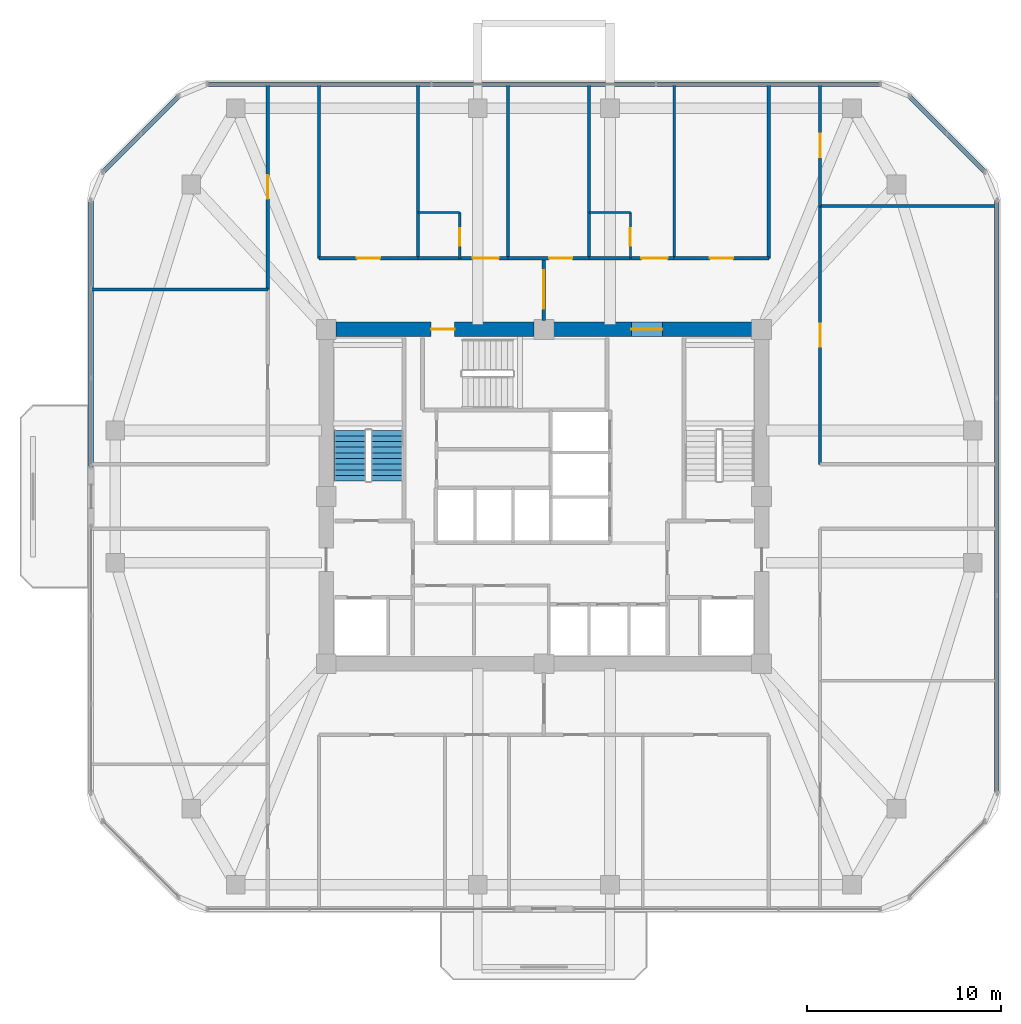
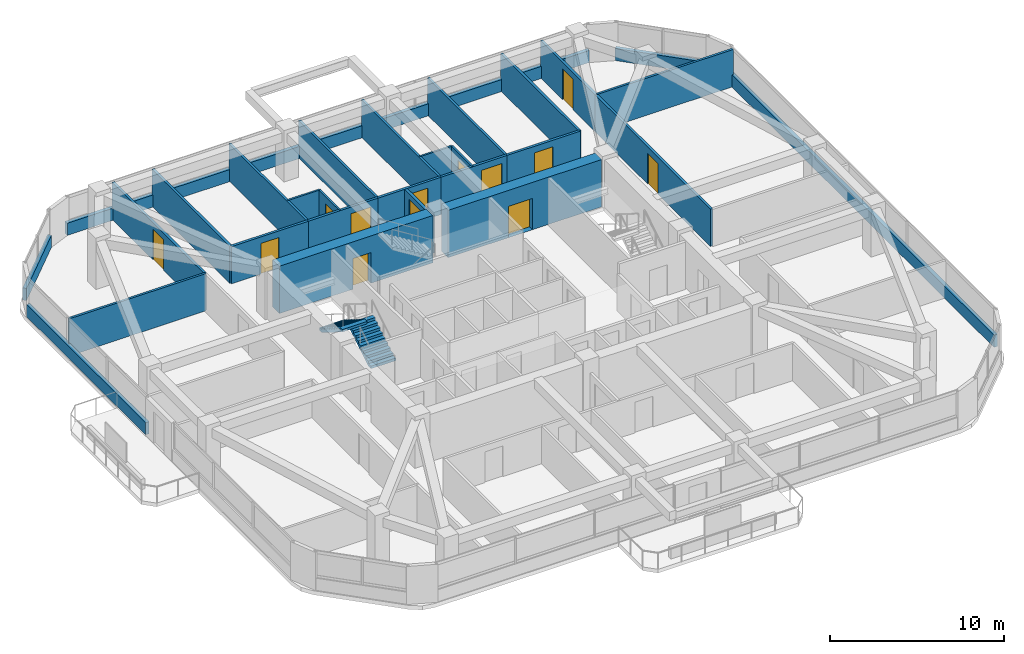
# One storey, part 9 of 12: 28 walls, 13 doors, 2 stair flights, 13 openings, 1 element without a shape of its own.
"""IFC4 building model written with IfcOpenShell, lengths in metres."""

from ifc_helpers import new_model, si_unit, derived_unit, direction, frame, frame_2d, origin, place, context, subcontext, project, spatial, polyline, rectangle, outline, extrude, material, layer, layer_set, type_object, element, fill, aggregate, save


model = new_model("IFC4")

# Units and contexts
model_context = context("Model", 3, precision=1e-05, world=origin(), true_north=direction((0.0, 1.0)))
body_context = subcontext(model_context, "Body", "Model", "MODEL_VIEW")
ifc_project = project(units=[si_unit("LENGTHUNIT", "METRE"), si_unit("AREAUNIT", "SQUARE_METRE"), si_unit("VOLUMEUNIT", "CUBIC_METRE"), si_unit("PLANEANGLEUNIT", "RADIAN"), si_unit("MASSUNIT", "GRAM", prefix="KILO"), derived_unit("THERMALTRANSMITTANCEUNIT", [(si_unit("POWERUNIT", "WATT"), 1), (si_unit("LENGTHUNIT", "METRE"), -2), (si_unit("THERMODYNAMICTEMPERATUREUNIT", "KELVIN"), -1)])], contexts=[model_context])

# Site, building, storey
site_placement = place(None, origin())
site = spatial("IfcSite", under=ifc_project, at=site_placement, CompositionType="ELEMENT")
building_placement = place(site_placement, origin())
building = spatial("IfcBuilding", under=site, at=building_placement, Name="Koralith Skygarden Medical Center", CompositionType="ELEMENT")
storey_placement = place(building_placement, frame((0.0, 0.0, 134.820068359375)))
storey = spatial("IfcBuildingStorey", under=building, at=storey_placement, Name="L34", CompositionType="ELEMENT", Elevation=134.820068359375)

# Walls
ifc_material_1 = material(Name="Gypsum Board Partition")
ifc_layer_1 = layer(ifc_material_1, 0.14990234375)
ifc_layer_set_1 = layer_set([ifc_layer_1], Name="Gypsum Board Partition")
wall_type_1 = type_object("IfcWallType", Name="Clinical Acoustic Partition 150", PredefinedType="PARTITIONING", material=ifc_layer_set_1)
for number, where, z_axis, x_axis, name in (
    (1, (30.52587890625, 38.159912109375, 0.0), (0.0, 0.0, 1.0), (0.0, 1.0, 0.0), "L34 Clinical Acoustic Partition 150 W-PART-L34-N-01"),
    (2, (35.14990234375, 38.159912109375, 0.0), (0.0, 0.0, 1.0), (0.0, 1.0, 0.0), "L34 Clinical Acoustic Partition 150 W-PART-L34-N-02"),
    (3, (39.31201171875, 38.159912109375, 0.0), (0.0, 0.0, 1.0), (0.0, 1.0, 0.0), "L34 Clinical Acoustic Partition 150 W-PART-L34-N-03"),
    (4, (43.705078125, 38.159912109375, 0.0), (0.0, 0.0, 1.0), (0.0, 1.0, 0.0), "L34 Clinical Acoustic Partition 150 W-PART-L34-N-04"),
):
    element("IfcWall", number, at=place(storey_placement, frame(where, z_axis=z_axis, x_axis=x_axis)), inside=storey, type_object=wall_type_1, Name=name, PredefinedType="PARTITIONING", context=body_context, shape_type="SweptSolid", body=[
        extrude(rectangle(XDim=8.940185546875, YDim=0.14990234375, at=frame_2d((4.47021484375, 0.0))), origin(), (0.0, 0.0, 1.0), 2.60986328125),
    ])
for number, where, z_axis, x_axis, name in (
    (5, (22.7900390625, 36.548095703125, 0.0), (0.0, 0.0, 1.0), (-1.0, 0.0, 0.0), "L34 Clinical Acoustic Partition 150 W-PART-L34-WN-01"),
    (6, (51.2099609375, 40.846923828125, 0.0), (0.0, 0.0, 1.0), (1.0, 0.0, 0.0), "L34 Clinical Acoustic Partition 150 W-PART-L34-EN-01"),
):
    element("IfcWall", number, at=place(storey_placement, frame(where, z_axis=z_axis, x_axis=x_axis)), inside=storey, type_object=wall_type_1, Name=name, PredefinedType="PARTITIONING", context=body_context, shape_type="SweptSolid", body=[
        extrude(rectangle(XDim=9.073974609375, YDim=0.14990234375, at=frame_2d((4.537109375, 0.0))), origin(), (0.0, 0.0, 1.0), 2.60986328125),
    ])
ifc_layer_2 = layer(ifc_material_1, 0.1650390625)
ifc_layer_set_2 = layer_set([ifc_layer_2], Name="Gypsum Board Partition")
wall_type_2 = type_object("IfcWallType", Name="Clinical Corridor Partition 165", PredefinedType="PARTITIONING", material=ifc_layer_set_2)
for number, where, z_axis, x_axis, name in (
    (7, (25.429931640625, 38.159912109375, 0.0), (0.0, 0.0, 1.0), (0.0, 1.0, 0.0), "L34 Clinical Corridor Partition 165 W-HCOR-L34-NW"),
    (8, (48.570068359375, 38.159912109375, 0.0), (0.0, 0.0, 1.0), (0.0, 1.0, 0.0), "L34 Clinical Corridor Partition 165 W-HCOR-L34-NE"),
):
    element("IfcWall", number, at=place(storey_placement, frame(where, z_axis=z_axis, x_axis=x_axis)), inside=storey, type_object=wall_type_2, Name=name, PredefinedType="PARTITIONING", context=body_context, shape_type="SweptSolid", body=[
        extrude(rectangle(XDim=8.940185546875, YDim=0.1650390625, at=frame_2d((4.47021484375, 0.0))), origin(), (0.0, 0.0, 1.0), 2.60986328125),
    ])

# Wall, opening, door
wall_1_placement = place(storey_placement, frame((25.429931640625, 38.159912109375, 0.0), z_axis=(0.0, 0.0, 1.0), x_axis=(1.0, 0.0, 0.0)))
wall_1 = element("IfcWall", 9, at=wall_1_placement, inside=storey, type_object=wall_type_2, Name="L34 Clinical Corridor Partition 165 W-CORR-L34-N-01", PredefinedType="PARTITIONING", context=body_context, shape_type="SweptSolid", body=[
    extrude(rectangle(XDim=5.095947265625, YDim=0.1650390625, at=frame_2d((2.5478515625, 0.0))), origin(), (0.0, 0.0, 1.0), 2.60986328125),
])
opening_1_placement = place(wall_1_placement, frame((1.947998046875, 0.0, 0.0)))
opening_1 = element("IfcOpeningElement", 10, at=opening_1_placement, cuts=wall_1, Name="Opening D-CLN", PredefinedType="OPENING", context=body_context, shape_type="SweptSolid", body=[
    extrude(rectangle(XDim=1.199951171875, YDim=2.14990234375, at=frame_2d((0.60009765625, 1.074951171875))), frame((0.0, 0.092529296875, 0.0), z_axis=(0.0, -1.0, 0.0), x_axis=(1.0, 0.0, 0.0)), (0.0, 0.0, 1.0), 0.18505859375),
])
ifc_material_2 = material(Name="Aluminium 6063-T6", Category="aluminium")
door_type_1 = type_object("IfcDoorType", Name="Clinical Corridor Door D-CLN 1200", OperationType="NOTDEFINED", PredefinedType="DOOR", material=ifc_material_2)
door_1_placement = place(opening_1_placement, origin())
door_1 = element("IfcDoor", 11, at=door_1_placement, inside=storey, type_object=door_type_1, Name="L34 Procedure and Minor Treatment Room 01 Door", OperationType="SINGLE_SWING_RIGHT", OverallHeight=2.14990234375, OverallWidth=1.199951171875, PredefinedType="DOOR", context=body_context, shape_type="SweptSolid", body=[
    extrude(rectangle(XDim=1.199951171875, YDim=2.14990234375, at=frame_2d((0.60009765625, 1.074951171875))), frame((0.0, 0.02490234375, 0.0), z_axis=(0.0, -1.0, 0.0), x_axis=(1.0, 0.0, 0.0)), (0.0, 0.0, 1.0), 0.050048828125),
])
fill(opening_1, door_1)

wall_2_placement = place(storey_placement, frame((30.52587890625, 38.159912109375, 0.0), z_axis=(0.0, 0.0, 1.0), x_axis=(1.0, 0.0, 0.0)))
wall_2 = element("IfcWall", 12, at=wall_2_placement, inside=storey, type_object=wall_type_2, Name="L34 Clinical Corridor Partition 165 W-CORR-L34-N-02", PredefinedType="PARTITIONING", context=body_context, shape_type="SweptSolid", body=[
    extrude(rectangle(XDim=4.6240234375, YDim=0.1650390625, at=frame_2d((2.31201171875, 0.0))), origin(), (0.0, 0.0, 1.0), 2.60986328125),
])
opening_2_placement = place(wall_2_placement, frame((2.81005859375, 0.0, 0.0)))
opening_2 = element("IfcOpeningElement", 13, at=opening_2_placement, cuts=wall_2, Name="Opening D-BED", PredefinedType="OPENING", context=body_context, shape_type="SweptSolid", body=[
    extrude(rectangle(XDim=1.35009765625, YDim=2.14990234375, at=frame_2d((0.675048828125, 1.074951171875))), frame((0.0, 0.092529296875, 0.0), z_axis=(0.0, -1.0, 0.0), x_axis=(1.0, 0.0, 0.0)), (0.0, 0.0, 1.0), 0.18505859375),
])
door_type_2 = type_object("IfcDoorType", Name="Inpatient Bed Leaf Door D-BED 1350", OperationType="NOTDEFINED", PredefinedType="DOOR", material=ifc_material_2)
door_2_placement = place(opening_2_placement, origin())
door_2 = element("IfcDoor", 14, at=door_2_placement, inside=storey, type_object=door_type_2, Name="L34 Inpatient Bedroom 02 Door", OperationType="SINGLE_SWING_LEFT", OverallHeight=2.14990234375, OverallWidth=1.35009765625, PredefinedType="DOOR", context=body_context, shape_type="SweptSolid", body=[
    extrude(rectangle(XDim=1.35009765625, YDim=2.14990234375, at=frame_2d((0.675048828125, 1.074951171875))), frame((0.0, 0.02490234375, 0.0), z_axis=(0.0, -1.0, 0.0), x_axis=(1.0, 0.0, 0.0)), (0.0, 0.0, 1.0), 0.050048828125),
])
fill(opening_2, door_2)

wall_3_placement = place(storey_placement, frame((35.14990234375, 38.159912109375, 0.0), z_axis=(0.0, 0.0, 1.0), x_axis=(1.0, 0.0, 0.0)))
wall_3 = element("IfcWall", 15, at=wall_3_placement, inside=storey, type_object=wall_type_2, Name="L34 Clinical Corridor Partition 165 W-CORR-L34-N-03", PredefinedType="PARTITIONING", context=body_context, shape_type="SweptSolid", body=[
    extrude(rectangle(XDim=4.162109375, YDim=0.1650390625, at=frame_2d((2.0810546875, 0.0))), origin(), (0.0, 0.0, 1.0), 2.60986328125),
])
opening_3_placement = place(wall_3_placement, frame((2.114990234375, 0.0, 0.0)))
opening_3 = element("IfcOpeningElement", 16, at=opening_3_placement, cuts=wall_3, Name="Opening D-CLN", PredefinedType="OPENING", context=body_context, shape_type="SweptSolid", body=[
    extrude(rectangle(XDim=1.199951171875, YDim=2.14990234375, at=frame_2d((0.60009765625, 1.074951171875))), frame((0.0, 0.092529296875, 0.0), z_axis=(0.0, -1.0, 0.0), x_axis=(1.0, 0.0, 0.0)), (0.0, 0.0, 1.0), 0.18505859375),
])
door_3_placement = place(opening_3_placement, origin())
door_3 = element("IfcDoor", 17, at=door_3_placement, inside=storey, type_object=door_type_1, Name="L34 Wound Care Treatment Room 03 Door", OperationType="SINGLE_SWING_RIGHT", OverallHeight=2.14990234375, OverallWidth=1.199951171875, PredefinedType="DOOR", context=body_context, shape_type="SweptSolid", body=[
    extrude(rectangle(XDim=1.199951171875, YDim=2.14990234375, at=frame_2d((0.60009765625, 1.074951171875))), frame((0.0, 0.02490234375, 0.0), z_axis=(0.0, -1.0, 0.0), x_axis=(1.0, 0.0, 0.0)), (0.0, 0.0, 1.0), 0.050048828125),
])
fill(opening_3, door_3)

wall_4_placement = place(storey_placement, frame((39.31201171875, 38.159912109375, 0.0), z_axis=(0.0, 0.0, 1.0), x_axis=(1.0, 0.0, 0.0)))
wall_4 = element("IfcWall", 18, at=wall_4_placement, inside=storey, type_object=wall_type_2, Name="L34 Clinical Corridor Partition 165 W-CORR-L34-N-04", PredefinedType="PARTITIONING", context=body_context, shape_type="SweptSolid", body=[
    extrude(rectangle(XDim=4.39306640625, YDim=0.1650390625, at=frame_2d((2.196533203125, 0.0))), origin(), (0.0, 0.0, 1.0), 2.60986328125),
])
opening_4_placement = place(wall_4_placement, frame((2.702880859375, 0.0, 0.0)))
opening_4 = element("IfcOpeningElement", 19, at=opening_4_placement, cuts=wall_4, Name="Opening D-BED", PredefinedType="OPENING", context=body_context, shape_type="SweptSolid", body=[
    extrude(rectangle(XDim=1.35009765625, YDim=2.14990234375, at=frame_2d((0.675048828125, 1.074951171875))), frame((0.0, 0.092529296875, 0.0), z_axis=(0.0, -1.0, 0.0), x_axis=(1.0, 0.0, 0.0)), (0.0, 0.0, 1.0), 0.18505859375),
])
door_4_placement = place(opening_4_placement, origin())
door_4 = element("IfcDoor", 20, at=door_4_placement, inside=storey, type_object=door_type_2, Name="L34 Inpatient Bedroom 04 Door", OperationType="SINGLE_SWING_LEFT", OverallHeight=2.14990234375, OverallWidth=1.35009765625, PredefinedType="DOOR", context=body_context, shape_type="SweptSolid", body=[
    extrude(rectangle(XDim=1.35009765625, YDim=2.14990234375, at=frame_2d((0.675048828125, 1.074951171875))), frame((0.0, 0.02490234375, 0.0), z_axis=(0.0, -1.0, 0.0), x_axis=(1.0, 0.0, 0.0)), (0.0, 0.0, 1.0), 0.050048828125),
])
fill(opening_4, door_4)

wall_5_placement = place(storey_placement, frame((43.705078125, 38.159912109375, 0.0), z_axis=(0.0, 0.0, 1.0), x_axis=(1.0, 0.0, 0.0)))
wall_5 = element("IfcWall", 21, at=wall_5_placement, inside=storey, type_object=wall_type_2, Name="L34 Clinical Corridor Partition 165 W-CORR-L34-N-05", PredefinedType="PARTITIONING", context=body_context, shape_type="SweptSolid", body=[
    extrude(rectangle(XDim=4.864990234375, YDim=0.1650390625, at=frame_2d((2.4326171875, 0.0))), origin(), (0.0, 0.0, 1.0), 2.60986328125),
])
opening_5_placement = place(wall_5_placement, frame((1.8330078125, 0.0, 0.0)))
opening_5 = element("IfcOpeningElement", 22, at=opening_5_placement, cuts=wall_5, Name="Opening D-CLN", PredefinedType="OPENING", context=body_context, shape_type="SweptSolid", body=[
    extrude(rectangle(XDim=1.199951171875, YDim=2.14990234375, at=frame_2d((0.60009765625, 1.074951171875))), frame((0.0, 0.092529296875, 0.0), z_axis=(0.0, -1.0, 0.0), x_axis=(1.0, 0.0, 0.0)), (0.0, 0.0, 1.0), 0.18505859375),
])
door_5_placement = place(opening_5_placement, origin())
door_5 = element("IfcDoor", 23, at=door_5_placement, inside=storey, type_object=door_type_1, Name="L34 Acute Nurse Station 05 Door", OperationType="SINGLE_SWING_RIGHT", OverallHeight=2.14990234375, OverallWidth=1.199951171875, PredefinedType="DOOR", context=body_context, shape_type="SweptSolid", body=[
    extrude(rectangle(XDim=1.199951171875, YDim=2.14990234375, at=frame_2d((0.60009765625, 1.074951171875))), frame((0.0, 0.02490234375, 0.0), z_axis=(0.0, -1.0, 0.0), x_axis=(1.0, 0.0, 0.0)), (0.0, 0.0, 1.0), 0.050048828125),
])
fill(opening_5, door_5)

wall_6_placement = place(storey_placement, frame((22.7900390625, 36.548095703125, 0.0), z_axis=(0.0, 0.0, 1.0), x_axis=(0.0, 1.0, 0.0)))
wall_6 = element("IfcWall", 24, at=wall_6_placement, inside=storey, type_object=wall_type_2, Name="L34 Clinical Corridor Partition 165 W-CORR-L34-WN-02", PredefinedType="PARTITIONING", context=body_context, shape_type="SweptSolid", body=[
    extrude(rectangle(XDim=10.552001953125, YDim=0.1650390625, at=frame_2d((5.27587890625, 0.0))), origin(), (0.0, 0.0, 1.0), 2.60986328125),
])
opening_6_placement = place(wall_6_placement, frame((4.676025390625, 0.0, 0.0)))
opening_6 = element("IfcOpeningElement", 25, at=opening_6_placement, cuts=wall_6, Name="Opening D-CLN", PredefinedType="OPENING", context=body_context, shape_type="SweptSolid", body=[
    extrude(rectangle(XDim=1.199951171875, YDim=2.14990234375, at=frame_2d((0.60009765625, 1.074951171875))), frame((0.0, 0.092529296875, 0.0), z_axis=(0.0, -1.0, 0.0), x_axis=(1.0, 0.0, 0.0)), (0.0, 0.0, 1.0), 0.18505859375),
])
door_6_placement = place(opening_6_placement, frame((1.199951171875, 0.0, 0.0), z_axis=(0.0, 0.0, 1.0), x_axis=(-1.0, 0.0, 0.0)))
door_6 = element("IfcDoor", 26, at=door_6_placement, inside=storey, type_object=door_type_1, Name="L34 Wound Care Treatment Room 13 Door", OperationType="SINGLE_SWING_RIGHT", OverallHeight=2.14990234375, OverallWidth=1.199951171875, PredefinedType="DOOR", context=body_context, shape_type="SweptSolid", body=[
    extrude(rectangle(XDim=1.199951171875, YDim=2.14990234375, at=frame_2d((0.60009765625, 1.074951171875))), frame((0.0, 0.02490234375, 0.0), z_axis=(0.0, -1.0, 0.0), x_axis=(1.0, 0.0, 0.0)), (0.0, 0.0, 1.0), 0.050048828125),
])
fill(opening_6, door_6)

wall_7_placement = place(storey_placement, frame((51.2099609375, 27.56005859375, 0.0), z_axis=(0.0, 0.0, 1.0), x_axis=(0.0, 1.0, 0.0)))
wall_7 = element("IfcWall", 27, at=wall_7_placement, inside=storey, type_object=wall_type_2, Name="L34 Clinical Corridor Partition 165 W-CORR-L34-EN-01", PredefinedType="PARTITIONING", context=body_context, shape_type="SweptSolid", body=[
    extrude(rectangle(XDim=13.286865234375, YDim=0.1650390625, at=frame_2d((6.6435546875, 0.0))), origin(), (0.0, 0.0, 1.0), 2.60986328125),
])
opening_7_placement = place(wall_7_placement, frame((6.0439453125, 0.0, 0.0)))
opening_7 = element("IfcOpeningElement", 28, at=opening_7_placement, cuts=wall_7, Name="Opening D-CLN", PredefinedType="OPENING", context=body_context, shape_type="SweptSolid", body=[
    extrude(rectangle(XDim=1.199951171875, YDim=2.14990234375, at=frame_2d((0.60009765625, 1.074951171875))), frame((0.0, 0.092529296875, 0.0), z_axis=(0.0, -1.0, 0.0), x_axis=(1.0, 0.0, 0.0)), (0.0, 0.0, 1.0), 0.18505859375),
])
door_7_placement = place(opening_7_placement, origin())
door_7 = element("IfcDoor", 29, at=door_7_placement, inside=storey, type_object=door_type_1, Name="L34 Procedure and Minor Treatment Room 16 Door", OperationType="SINGLE_SWING_LEFT", OverallHeight=2.14990234375, OverallWidth=1.199951171875, PredefinedType="DOOR", context=body_context, shape_type="SweptSolid", body=[
    extrude(rectangle(XDim=1.199951171875, YDim=2.14990234375, at=frame_2d((0.60009765625, 1.074951171875))), frame((0.0, 0.02490234375, 0.0), z_axis=(0.0, -1.0, 0.0), x_axis=(1.0, 0.0, 0.0)), (0.0, 0.0, 1.0), 0.050048828125),
])
fill(opening_7, door_7)

wall_8_placement = place(storey_placement, frame((51.2099609375, 40.846923828125, 0.0), z_axis=(0.0, 0.0, 1.0), x_axis=(0.0, 1.0, 0.0)))
wall_8 = element("IfcWall", 30, at=wall_8_placement, inside=storey, type_object=wall_type_2, Name="L34 Clinical Corridor Partition 165 W-CORR-L34-EN-02", PredefinedType="PARTITIONING", context=body_context, shape_type="SweptSolid", body=[
    extrude(rectangle(XDim=6.253173828125, YDim=0.1650390625, at=frame_2d((3.12646484375, 0.0))), origin(), (0.0, 0.0, 1.0), 2.60986328125),
])
opening_8_placement = place(wall_8_placement, frame((2.52587890625, 0.0, 0.0)))
opening_8 = element("IfcOpeningElement", 31, at=opening_8_placement, cuts=wall_8, Name="Opening D-CLN", PredefinedType="OPENING", context=body_context, shape_type="SweptSolid", body=[
    extrude(rectangle(XDim=1.199951171875, YDim=2.14990234375, at=frame_2d((0.60009765625, 1.074951171875))), frame((0.0, 0.092529296875, 0.0), z_axis=(0.0, -1.0, 0.0), x_axis=(1.0, 0.0, 0.0)), (0.0, 0.0, 1.0), 0.18505859375),
])
door_8_placement = place(opening_8_placement, origin())
door_8 = element("IfcDoor", 32, at=door_8_placement, inside=storey, type_object=door_type_1, Name="L34 Wound Care Treatment Room 17 Door", OperationType="SINGLE_SWING_RIGHT", OverallHeight=2.14990234375, OverallWidth=1.199951171875, PredefinedType="DOOR", context=body_context, shape_type="SweptSolid", body=[
    extrude(rectangle(XDim=1.199951171875, YDim=2.14990234375, at=frame_2d((0.60009765625, 1.074951171875))), frame((0.0, 0.02490234375, 0.0), z_axis=(0.0, -1.0, 0.0), x_axis=(1.0, 0.0, 0.0)), (0.0, 0.0, 1.0), 0.050048828125),
])
fill(opening_8, door_8)

ifc_layer_3 = layer(ifc_material_1, 0.179931640625)
ifc_layer_set_3 = layer_set([ifc_layer_3], Name="Gypsum Board Partition")
wall_type_3 = type_object("IfcWallType", Name="Group I-2 Smoke Barrier Wall 180", PredefinedType="PARTITIONING", material=ifc_layer_set_3)
wall_9_placement = place(storey_placement, frame((37.0, 34.949951171875, 0.0), z_axis=(0.0, 0.0, 1.0), x_axis=(0.0, 1.0, 0.0)))
wall_9 = element("IfcWall", 33, at=wall_9_placement, inside=storey, type_object=wall_type_3, Name="L34 Group I-2 Smoke Barrier Wall 180 W-SMK-L34-N", PredefinedType="PARTITIONING", context=body_context, shape_type="SweptSolid", body=[
    extrude(rectangle(XDim=3.2099609375, YDim=0.179931640625, at=frame_2d((1.60498046875, 0.0))), origin(), (0.0, 0.0, 1.0), 2.60986328125),
])
opening_9_placement = place(wall_9_placement, frame((0.60498046875, 0.0, 0.0)))
opening_9 = element("IfcOpeningElement", 34, at=opening_9_placement, cuts=wall_9, Name="Opening D-SMK", PredefinedType="OPENING", context=body_context, shape_type="SweptSolid", body=[
    extrude(rectangle(XDim=2.0, YDim=2.199951171875, at=frame_2d((1.0, 1.10009765625))), frame((0.0, 0.099853515625, 0.0), z_axis=(0.0, -1.0, 0.0), x_axis=(1.0, 0.0, 0.0)), (0.0, 0.0, 1.0), 0.199951171875),
])
ifc_material_3 = material(Name="Steel ASTM A500 Grade C", Category="steel")
door_type_3 = type_object("IfcDoorType", Name="Cross-Corridor Double Smoke Door FD60S 2000", OperationType="NOTDEFINED", PredefinedType="DOOR", material=ifc_material_3)
door_9_placement = place(opening_9_placement, origin())
door_9 = element("IfcDoor", 35, at=door_9_placement, inside=storey, type_object=door_type_3, Name="L34 N Smoke Compartment Cross-Corridor Door", OperationType="DOUBLE_DOOR_SINGLE_SWING", OverallHeight=2.199951171875, OverallWidth=2.0, PredefinedType="DOOR", context=body_context, shape_type="SweptSolid", body=[
    extrude(rectangle(XDim=2.0, YDim=2.199951171875, at=frame_2d((1.0, 1.10009765625))), frame((0.0, 0.02490234375, 0.0), z_axis=(0.0, -1.0, 0.0), x_axis=(1.0, 0.0, 0.0)), (0.0, 0.0, 1.0), 0.050048828125),
])
fill(opening_9, door_9)

# Walls
ifc_material_4 = material(Name="Warm Oolitic Limestone Cladding", Category="masonry")
ifc_layer_4 = layer(ifc_material_4, 0.239990234375)
ifc_layer_set_4 = layer_set([ifc_layer_4], Name="Warm Oolitic Limestone Cladding")
wall_type_4 = type_object("IfcWallType", Name="Limestone Spandrel Sill Backup Wall 240", PredefinedType="SOLIDWALL", material=ifc_layer_set_4)
wall_10_placement = place(storey_placement, frame((60.303955078125, 10.655029296875, 0.0), z_axis=(0.0, 0.0, 1.0), x_axis=(0.0, 1.0, 0.0)))
element("IfcWall", 36, at=wall_10_placement, inside=storey, type_object=wall_type_4, Name="L34 Sill Spandrel E", PredefinedType="SOLIDWALL", context=body_context, shape_type="SweptSolid", body=[
    extrude(rectangle(XDim=30.489990234375, YDim=0.239990234375, at=frame_2d((15.2451171875, 0.0))), origin(), (0.0, 0.0, 1.0), 0.849853515625),
])
wall_11_placement = place(storey_placement, frame((59.702880859375, 42.595947265625, 0.0), z_axis=(0.0, 0.0, 1.0), x_axis=(-0.707084777957, 0.707128783731, 0.0)))
element("IfcWall", 37, at=wall_11_placement, inside=storey, type_object=wall_type_4, Name="L34 Sill Spandrel NE", PredefinedType="SOLIDWALL", context=body_context, shape_type="SweptSolid", body=[
    extrude(rectangle(XDim=5.5478515625, YDim=0.239990234375, at=frame_2d((2.77392578125, 0.0))), origin(), (0.0, 0.0, 1.0), 0.849853515625),
])
wall_12_placement = place(storey_placement, frame((54.3291015625, 47.1201171875, 0.0), z_axis=(0.0, 0.0, 1.0), x_axis=(-1.0, 0.0, 0.0)))
element("IfcWall", 38, at=wall_12_placement, inside=storey, type_object=wall_type_4, Name="L34 Sill Spandrel N", PredefinedType="SOLIDWALL", context=body_context, shape_type="SweptSolid", body=[
    extrude(rectangle(XDim=34.658203125, YDim=0.239990234375, at=frame_2d((17.3291015625, 0.0))), origin(), (0.0, 0.0, 1.0), 0.849853515625),
])
wall_13_placement = place(storey_placement, frame((18.219970703125, 46.51904296875, 0.0), z_axis=(0.0, 0.0, 1.0), x_axis=(-0.707084777957, -0.707128783731, 0.0)))
element("IfcWall", 39, at=wall_13_placement, inside=storey, type_object=wall_type_4, Name="L34 Sill Spandrel NW", PredefinedType="SOLIDWALL", context=body_context, shape_type="SweptSolid", body=[
    extrude(rectangle(XDim=5.5478515625, YDim=0.239990234375, at=frame_2d((2.77392578125, 0.0))), origin(), (0.0, 0.0, 1.0), 0.849853515625),
])
wall_14_placement = place(storey_placement, frame((13.696044921875, 41.14501953125, 0.0), z_axis=(0.0, 0.0, 1.0), x_axis=(0.0, -1.0, 0.0)))
element("IfcWall", 40, at=wall_14_placement, inside=storey, type_object=wall_type_4, Name="L34 Sill Spandrel W-L", PredefinedType="SOLIDWALL", context=body_context, shape_type="SweptSolid", body=[
    extrude(rectangle(XDim=13.705078125, YDim=0.239990234375, at=frame_2d((6.8525390625, 0.0))), origin(), (0.0, 0.0, 1.0), 0.849853515625),
])

# Wall, opening, door
ifc_material_5 = material(Name="Concrete C70/85", Category="concrete")
ifc_layer_5 = layer(ifc_material_5, 0.75)
ifc_layer_set_5 = layer_set([ifc_layer_5], Name="Concrete C70/85")
wall_type_5 = type_object("IfcWallType", Name="Mid Core Shear Wall 750", PredefinedType="SHEAR", material=ifc_layer_set_5)
wall_15_placement = place(storey_placement, frame((47.695068359375, 34.5, 0.0), z_axis=(0.0, 0.0, 1.0), x_axis=(-1.0, 0.0, 0.0)))
wall_15 = element("IfcWall", 41, at=wall_15_placement, inside=storey, type_object=wall_type_5, Name="L34 Core Shear Wall Segment 5", PredefinedType="SHEAR", context=body_context, shape_type="SweptSolid", body=[
    extrude(rectangle(XDim=10.190185546875, YDim=0.75, at=frame_2d((5.09521484375, 0.0))), origin(), (0.0, 0.0, 1.0), 3.31982421875),
])
opening_10_placement = place(wall_15_placement, frame((4.594970703125, 0.0, 0.0)))
opening_10 = element("IfcOpeningElement", 42, at=opening_10_placement, cuts=wall_15, Name="Opening D-DBL", PredefinedType="OPENING", context=body_context, shape_type="SweptSolid", body=[
    extrude(rectangle(XDim=1.60009765625, YDim=2.199951171875, at=frame_2d((0.800048828125, 1.10009765625))), frame((0.0, 0.385009765625, 0.0), z_axis=(0.0, -1.0, 0.0), x_axis=(1.0, 0.0, 0.0)), (0.0, 0.0, 1.0), 0.77001953125),
])
door_type_4 = type_object("IfcDoorType", Name="Double Clinical Suite Door D-DBL 1600", OperationType="NOTDEFINED", PredefinedType="DOOR", material=ifc_material_2)
door_10_placement = place(opening_10_placement, frame((1.60009765625, 0.0, 0.0), z_axis=(0.0, 0.0, 1.0), x_axis=(-1.0, 0.0, 0.0)))
door_10 = element("IfcDoor", 43, at=door_10_placement, inside=storey, type_object=door_type_4, Name="L34 North-East Corridor to Elevator Lobby Door", OperationType="DOUBLE_DOOR_SINGLE_SWING", OverallHeight=2.199951171875, OverallWidth=1.60009765625, PredefinedType="DOOR", context=body_context, shape_type="SweptSolid", body=[
    extrude(rectangle(XDim=1.60009765625, YDim=2.199951171875, at=frame_2d((0.800048828125, 1.10009765625))), frame((0.0, 0.02490234375, 0.0), z_axis=(0.0, -1.0, 0.0), x_axis=(1.0, 0.0, 0.0)), (0.0, 0.0, 1.0), 0.050048828125),
])
fill(opening_10, door_10)

wall_16_placement = place(storey_placement, frame((36.4951171875, 34.5, 0.0), z_axis=(0.0, 0.0, 1.0), x_axis=(-1.0, 0.0, 0.0)))
wall_16 = element("IfcWall", 44, at=wall_16_placement, inside=storey, type_object=wall_type_5, Name="L34 Core Shear Wall Segment 6", PredefinedType="SHEAR", context=body_context, shape_type="SweptSolid", body=[
    extrude(rectangle(XDim=10.190185546875, YDim=0.75, at=frame_2d((5.09521484375, 0.0))), origin(), (0.0, 0.0, 1.0), 3.31982421875),
])
opening_11_placement = place(wall_16_placement, frame((4.094970703125, 0.0, 0.0)))
opening_11 = element("IfcOpeningElement", 45, at=opening_11_placement, cuts=wall_16, Name="Opening D-ST60", PredefinedType="OPENING", context=body_context, shape_type="SweptSolid", body=[
    extrude(rectangle(XDim=1.199951171875, YDim=2.14990234375, at=frame_2d((0.60009765625, 1.074951171875))), frame((0.0, 0.385009765625, 0.0), z_axis=(0.0, -1.0, 0.0), x_axis=(1.0, 0.0, 0.0)), (0.0, 0.0, 1.0), 0.77001953125),
])
door_type_5 = type_object("IfcDoorType", Name="Smokeproof Stair Fire Door FD60S 1200", OperationType="NOTDEFINED", PredefinedType="DOOR", material=ifc_material_3)
door_11_placement = place(opening_11_placement, frame((1.199951171875, 0.0, 0.0), z_axis=(0.0, 0.0, 1.0), x_axis=(-1.0, 0.0, 0.0)))
door_11 = element("IfcDoor", 46, at=door_11_placement, inside=storey, type_object=door_type_5, Name="L34 Exit Stair ST3 Fire Door", OperationType="SINGLE_SWING_LEFT", OverallHeight=2.14990234375, OverallWidth=1.199951171875, PredefinedType="DOOR", context=body_context, shape_type="SweptSolid", body=[
    extrude(rectangle(XDim=1.199951171875, YDim=2.14990234375, at=frame_2d((0.60009765625, 1.074951171875))), frame((0.0, 0.02490234375, 0.0), z_axis=(0.0, -1.0, 0.0), x_axis=(1.0, 0.0, 0.0)), (0.0, 0.0, 1.0), 0.050048828125),
])
fill(opening_11, door_11)

ifc_layer_6 = layer(ifc_material_1, 0.1201171875)
ifc_layer_set_6 = layer_set([ifc_layer_6], Name="Gypsum Board Partition")
wall_type_6 = type_object("IfcWallType", Name="Plumbing Wet Wall 120", PredefinedType="PLUMBINGWALL", material=ifc_layer_set_6)
wall_17_placement = place(storey_placement, frame((32.666015625, 38.159912109375, 0.0), z_axis=(0.0, 0.0, 1.0), x_axis=(0.0, 1.0, 0.0)))
wall_17 = element("IfcWall", 47, at=wall_17_placement, inside=storey, type_object=wall_type_6, Name="L34 Plumbing Wet Wall 120 W-ENS-L34-02A", PredefinedType="PLUMBINGWALL", context=body_context, shape_type="SweptSolid", body=[
    extrude(rectangle(XDim=2.360107421875, YDim=0.1201171875, at=frame_2d((1.18017578125, 0.0))), origin(), (0.0, 0.0, 1.0), 2.60986328125),
])
opening_12_placement = place(wall_17_placement, frame((0.64990234375, 0.0, 0.0)))
opening_12 = element("IfcOpeningElement", 48, at=opening_12_placement, cuts=wall_17, Name="Opening D-ENS", PredefinedType="OPENING", context=body_context, shape_type="SweptSolid", body=[
    extrude(rectangle(XDim=0.89990234375, YDim=2.10009765625, at=frame_2d((0.449951171875, 1.050048828125))), frame((0.0, 0.070068359375, 0.0), z_axis=(0.0, -1.0, 0.0), x_axis=(1.0, 0.0, 0.0)), (0.0, 0.0, 1.0), 0.14013671875),
])
door_type_6 = type_object("IfcDoorType", Name="En-Suite Bathroom Door D-ENS 900", OperationType="NOTDEFINED", PredefinedType="DOOR", material=ifc_material_2)
door_12_placement = place(opening_12_placement, frame((0.89990234375, 0.0, 0.0), z_axis=(0.0, 0.0, 1.0), x_axis=(-1.0, 0.0, 0.0)))
door_12 = element("IfcDoor", 49, at=door_12_placement, inside=storey, type_object=door_type_6, Name="L34 En-Suite 02 Door", OperationType="SINGLE_SWING_LEFT", OverallHeight=2.10009765625, OverallWidth=0.89990234375, PredefinedType="DOOR", context=body_context, shape_type="SweptSolid", body=[
    extrude(rectangle(XDim=0.89990234375, YDim=2.10009765625, at=frame_2d((0.449951171875, 1.050048828125))), frame((0.0, 0.02490234375, 0.0), z_axis=(0.0, -1.0, 0.0), x_axis=(1.0, 0.0, 0.0)), (0.0, 0.0, 1.0), 0.050048828125),
])
fill(opening_12, door_12)

# Wall
wall_18_placement = place(storey_placement, frame((30.52587890625, 40.52001953125, 0.0), z_axis=(0.0, 0.0, 1.0), x_axis=(1.0, 0.0, 0.0)))
element("IfcWall", 50, at=wall_18_placement, inside=storey, type_object=wall_type_6, Name="L34 Plumbing Wet Wall 120 W-ENS-L34-02B", PredefinedType="PLUMBINGWALL", context=body_context, shape_type="SweptSolid", body=[
    extrude(rectangle(XDim=2.14013671875, YDim=0.1201171875, at=frame_2d((1.070068359375, 0.0))), origin(), (0.0, 0.0, 1.0), 2.60986328125),
])

# Wall, opening, door
wall_19_placement = place(storey_placement, frame((41.451904296875, 38.159912109375, 0.0), z_axis=(0.0, 0.0, 1.0), x_axis=(0.0, 1.0, 0.0)))
wall_19 = element("IfcWall", 51, at=wall_19_placement, inside=storey, type_object=wall_type_6, Name="L34 Plumbing Wet Wall 120 W-ENS-L34-04A", PredefinedType="PLUMBINGWALL", context=body_context, shape_type="SweptSolid", body=[
    extrude(rectangle(XDim=2.360107421875, YDim=0.1201171875, at=frame_2d((1.18017578125, 0.0))), origin(), (0.0, 0.0, 1.0), 2.60986328125),
])
opening_13_placement = place(wall_19_placement, frame((0.64990234375, 0.0, 0.0)))
opening_13 = element("IfcOpeningElement", 52, at=opening_13_placement, cuts=wall_19, Name="Opening D-ENS", PredefinedType="OPENING", context=body_context, shape_type="SweptSolid", body=[
    extrude(rectangle(XDim=0.89990234375, YDim=2.10009765625, at=frame_2d((0.449951171875, 1.050048828125))), frame((0.0, 0.070068359375, 0.0), z_axis=(0.0, -1.0, 0.0), x_axis=(1.0, 0.0, 0.0)), (0.0, 0.0, 1.0), 0.14013671875),
])
door_13_placement = place(opening_13_placement, frame((0.89990234375, 0.0, 0.0), z_axis=(0.0, 0.0, 1.0), x_axis=(-1.0, 0.0, 0.0)))
door_13 = element("IfcDoor", 53, at=door_13_placement, inside=storey, type_object=door_type_6, Name="L34 En-Suite 04 Door", OperationType="SINGLE_SWING_LEFT", OverallHeight=2.10009765625, OverallWidth=0.89990234375, PredefinedType="DOOR", context=body_context, shape_type="SweptSolid", body=[
    extrude(rectangle(XDim=0.89990234375, YDim=2.10009765625, at=frame_2d((0.449951171875, 1.050048828125))), frame((0.0, 0.02490234375, 0.0), z_axis=(0.0, -1.0, 0.0), x_axis=(1.0, 0.0, 0.0)), (0.0, 0.0, 1.0), 0.050048828125),
])
fill(opening_13, door_13)

# Wall
wall_20_placement = place(storey_placement, frame((39.31201171875, 40.52001953125, 0.0), z_axis=(0.0, 0.0, 1.0), x_axis=(1.0, 0.0, 0.0)))
element("IfcWall", 54, at=wall_20_placement, inside=storey, type_object=wall_type_6, Name="L34 Plumbing Wet Wall 120 W-ENS-L34-04B", PredefinedType="PLUMBINGWALL", context=body_context, shape_type="SweptSolid", body=[
    extrude(rectangle(XDim=2.139892578125, YDim=0.1201171875, at=frame_2d((1.06982421875, 0.0))), origin(), (0.0, 0.0, 1.0), 2.60986328125),
])

# Stair, stair flights
ifc_material_6 = material(Name="Concrete C45/55", Category="concrete")
stair_type = type_object("IfcStairType", Name="Core Exit Dogleg Concrete Stair", PredefinedType="HALF_TURN_STAIR", material=ifc_material_6)
stair_placement = place(storey_placement, origin())
stair = element("IfcStair", 55, at=stair_placement, inside=storey, type_object=stair_type, Name="L34 Smokeproof Exit Stair ST1", PredefinedType="HALF_TURN_STAIR")
stair_flight_type = type_object("IfcStairFlightType", Name="Core Exit Concrete Stair Flight 1650", PredefinedType="STRAIGHT", material=ifc_material_6)
stair_flight_1_placement = place(storey_placement, frame((28.925048828125, 26.699951171875, 0.0), z_axis=(0.0, 0.0, 1.0), x_axis=(0.0, 1.0, 0.0)))
stair_flight_1 = element("IfcStairFlight", 56, at=stair_flight_1_placement, type_object=stair_flight_type, Name="ST1 flight 1", NumberOfRisers=10, NumberOfTreads=9, PredefinedType="STRAIGHT", RiserHeight=0.18, TreadLength=0.29, context=body_context, shape_type="SweptSolid", body=[
    extrude(outline(polyline([(0.0, 0.0), (0.0, 0.179931640625), (0.2900390625, 0.179931640625), (0.2900390625, 0.360107421875), (0.580078125, 0.360107421875), (0.580078125, 0.5400390625), (0.8701171875, 0.5400390625), (0.8701171875, 0.719970703125), (1.159912109375, 0.719970703125), (1.159912109375, 0.89990234375), (1.449951171875, 0.89990234375), (1.449951171875, 1.080078125), (1.739990234375, 1.080078125), (1.739990234375, 1.260009765625), (2.030029296875, 1.260009765625), (2.030029296875, 1.43994140625), (2.320068359375, 1.43994140625), (2.320068359375, 1.6201171875), (2.610107421875, 1.6201171875), (2.610107421875, 1.800048828125), (2.610107421875, 1.443603515625), (0.2841796875, 0.0), (0.0, 0.0)])), frame((0.0, 0.824951171875, 0.0), z_axis=(0.0, -1.0, 0.0), x_axis=(1.0, 0.0, 0.0)), (0.0, 0.0, 1.0), 1.64990234375),
])
stair_flight_2_placement = place(storey_placement, frame((27.02490234375, 29.31005859375, 1.800048828125), z_axis=(0.0, 0.0, 1.0), x_axis=(0.0, -1.0, 0.0)))
stair_flight_2 = element("IfcStairFlight", 57, at=stair_flight_2_placement, type_object=stair_flight_type, Name="ST1 flight 2", NumberOfRisers=10, NumberOfTreads=9, PredefinedType="STRAIGHT", RiserHeight=0.18, TreadLength=0.29, context=body_context, shape_type="SweptSolid", body=[
    extrude(outline(polyline([(0.0, 0.0), (0.0, 0.179931640625), (0.2900390625, 0.179931640625), (0.2900390625, 0.360107421875), (0.580078125, 0.360107421875), (0.580078125, 0.5400390625), (0.8701171875, 0.5400390625), (0.8701171875, 0.719970703125), (1.159912109375, 0.719970703125), (1.159912109375, 0.89990234375), (1.449951171875, 0.89990234375), (1.449951171875, 1.080078125), (1.739990234375, 1.080078125), (1.739990234375, 1.260009765625), (2.030029296875, 1.260009765625), (2.030029296875, 1.43994140625), (2.320068359375, 1.43994140625), (2.320068359375, 1.6201171875), (2.610107421875, 1.6201171875), (2.610107421875, 1.800048828125), (2.610107421875, 1.443603515625), (0.2841796875, 0.0), (0.0, 0.0)])), frame((0.0, 0.824951171875, 0.0), z_axis=(0.0, -1.0, 0.0), x_axis=(1.0, 0.0, 0.0)), (0.0, 0.0, 1.0), 1.64990234375),
])
aggregate(stair, [stair_flight_1, stair_flight_2])

save(model, "model.ifc")
